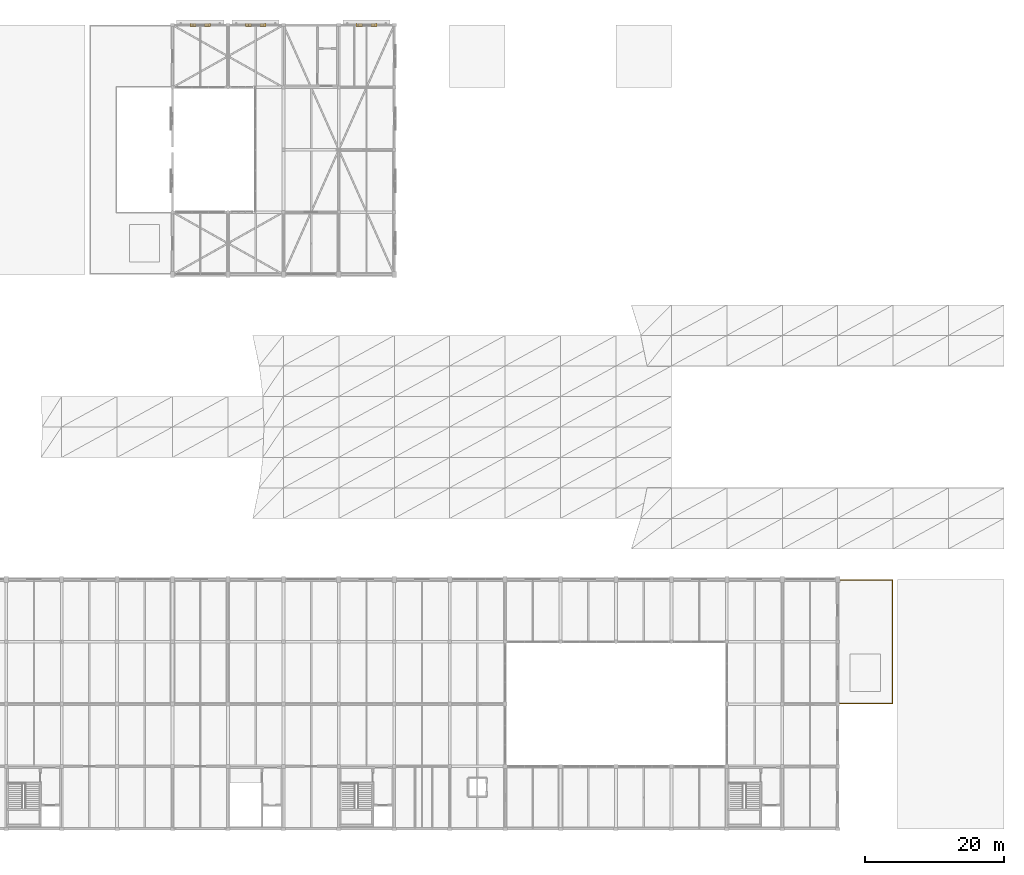
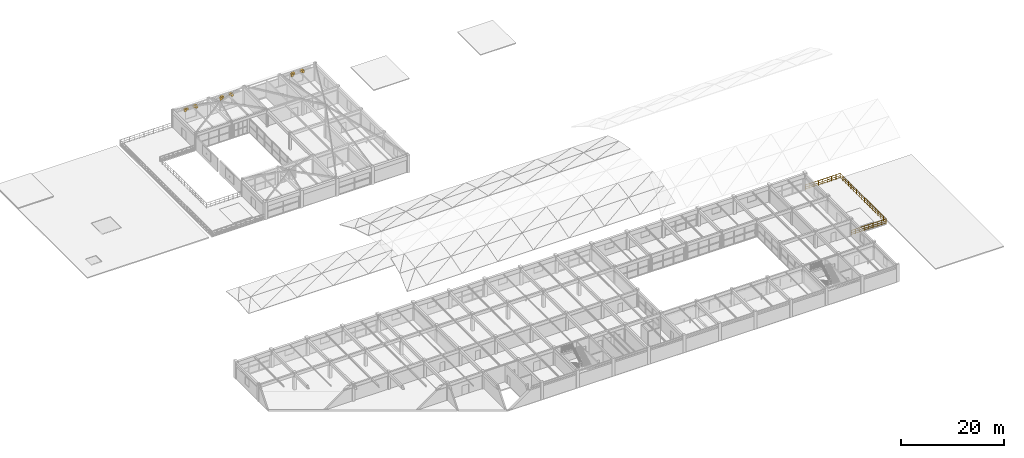
# One storey, part 63 of 63: 12 coverings, 1 railing.
"""IFC4 building model written with IfcOpenShell, lengths in metres."""

from ifc_helpers import new_model, si_unit, direction, frame, origin, origin_2d, place, context, subcontext, project, spatial, rectangle, circle, extrude, material, layer, layer_set, type_object, element, save


model = new_model("IFC4")

# Units and contexts
model_context = context("Model", 3, precision=1e-05, world=origin(), true_north=direction((0.0, 1.0)))
body_context = subcontext(model_context, "Body", "Model", "MODEL_VIEW")
ifc_project = project(units=[si_unit("LENGTHUNIT", "METRE"), si_unit("AREAUNIT", "SQUARE_METRE"), si_unit("VOLUMEUNIT", "CUBIC_METRE"), si_unit("PLANEANGLEUNIT", "RADIAN"), si_unit("MASSUNIT", "GRAM", prefix="KILO")], contexts=[model_context])

# Site, building, storey
site_placement = place(None, origin())
site = spatial("IfcSite", under=ifc_project, at=site_placement, CompositionType="ELEMENT")
building_placement = place(site_placement, origin())
building = spatial("IfcBuilding", under=site, at=building_placement, Name="Varnabhumi Central Station", CompositionType="ELEMENT")
storey_placement = place(building_placement, frame((0.0, 0.0, 20.39990234375)))
storey = spatial("IfcBuildingStorey", under=building, at=storey_placement, Name="L04", CompositionType="ELEMENT", Elevation=20.39990234375)

# Coverings
ifc_material_1 = material(Name="Terracotta clay Mission barrel tile", Category="masonry")
ifc_layer = layer(ifc_material_1, 0.02001953125, Name="Terracotta clay Mission barrel tile", Category="masonry")
ifc_layer_set = layer_set([ifc_layer], Name="Terracotta clay Mission barrel tile")
covering_type = type_object("IfcCoveringType", Name="COV-WALL-FAIENCE", PredefinedType="CLADDING", material=ifc_layer_set)
covering_1_placement = place(storey_placement, frame((66.740478515625, 116.0, 2.75), z_axis=(0.0, 0.0, 1.0), x_axis=(1.0, 0.0, 0.0)))
element("IfcCovering", 1, at=covering_1_placement, inside=storey, type_object=covering_type, Name="North Window Arch L04-1 Stone Voussoir 1", PredefinedType="CLADDING", context=body_context, shape_type="SweptSolid", body=[
    extrude(rectangle(XDim=0.469970703125, YDim=0.47998046875, at=origin_2d()), origin(), (0.0, 0.0, 1.0), 0.554931640625),
])
for number, where, z_axis, x_axis, name in (
    (2, (67.077880859375, 116.0, 3.025146484375), (0.0, 0.0, 1.0), (1.0, 0.0, 0.0), "North Window Arch L04-1 Stone Voussoir 2"),
    (3, (68.922119140625, 116.0, 3.025146484375), (0.0, 0.0, 1.0), (1.0, 0.0, 0.0), "North Window Arch L04-1 Stone Voussoir 5"),
):
    element("IfcCovering", number, at=place(storey_placement, frame(where, z_axis=z_axis, x_axis=x_axis)), inside=storey, type_object=covering_type, Name=name, PredefinedType="CLADDING", context=body_context, shape_type="SweptSolid", body=[
        extrude(rectangle(XDim=0.614013671875, YDim=0.47998046875, at=origin_2d()), origin(), (0.0, 0.0, 1.0), 0.48095703125),
    ])
for number, where, z_axis, x_axis, name in (
    (4, (69.259521484375, 116.0, 2.75), (0.0, 0.0, 1.0), (1.0, 0.0, 0.0), "North Window Arch L04-1 Stone Voussoir 6"),
    (5, (74.740478515625, 116.0, 2.75), (0.0, 0.0, 1.0), (1.0, 0.0, 0.0), "North Window Arch L04-2 Stone Voussoir 1"),
):
    element("IfcCovering", number, at=place(storey_placement, frame(where, z_axis=z_axis, x_axis=x_axis)), inside=storey, type_object=covering_type, Name=name, PredefinedType="CLADDING", context=body_context, shape_type="SweptSolid", body=[
        extrude(rectangle(XDim=0.469970703125, YDim=0.47998046875, at=origin_2d()), origin(), (0.0, 0.0, 1.0), 0.554931640625),
    ])
for number, where, z_axis, x_axis, name in (
    (6, (75.077880859375, 116.0, 3.025146484375), (0.0, 0.0, 1.0), (1.0, 0.0, 0.0), "North Window Arch L04-2 Stone Voussoir 2"),
    (7, (76.922119140625, 116.0, 3.025146484375), (0.0, 0.0, 1.0), (1.0, 0.0, 0.0), "North Window Arch L04-2 Stone Voussoir 5"),
):
    element("IfcCovering", number, at=place(storey_placement, frame(where, z_axis=z_axis, x_axis=x_axis)), inside=storey, type_object=covering_type, Name=name, PredefinedType="CLADDING", context=body_context, shape_type="SweptSolid", body=[
        extrude(rectangle(XDim=0.614013671875, YDim=0.47998046875, at=origin_2d()), origin(), (0.0, 0.0, 1.0), 0.48095703125),
    ])
for number, where, z_axis, x_axis, name in (
    (8, (77.259521484375, 116.0, 2.75), (0.0, 0.0, 1.0), (1.0, 0.0, 0.0), "North Window Arch L04-2 Stone Voussoir 6"),
    (9, (90.740478515625, 116.0, 2.75), (0.0, 0.0, 1.0), (1.0, 0.0, 0.0), "North Window Arch L04-4 Stone Voussoir 1"),
):
    element("IfcCovering", number, at=place(storey_placement, frame(where, z_axis=z_axis, x_axis=x_axis)), inside=storey, type_object=covering_type, Name=name, PredefinedType="CLADDING", context=body_context, shape_type="SweptSolid", body=[
        extrude(rectangle(XDim=0.469970703125, YDim=0.47998046875, at=origin_2d()), origin(), (0.0, 0.0, 1.0), 0.554931640625),
    ])
for number, where, z_axis, x_axis, name in (
    (10, (91.077880859375, 116.0, 3.025146484375), (0.0, 0.0, 1.0), (1.0, 0.0, 0.0), "North Window Arch L04-4 Stone Voussoir 2"),
    (11, (92.922119140625, 116.0, 3.025146484375), (0.0, 0.0, 1.0), (1.0, 0.0, 0.0), "North Window Arch L04-4 Stone Voussoir 5"),
):
    element("IfcCovering", number, at=place(storey_placement, frame(where, z_axis=z_axis, x_axis=x_axis)), inside=storey, type_object=covering_type, Name=name, PredefinedType="CLADDING", context=body_context, shape_type="SweptSolid", body=[
        extrude(rectangle(XDim=0.614013671875, YDim=0.47998046875, at=origin_2d()), origin(), (0.0, 0.0, 1.0), 0.48095703125),
    ])
covering_2_placement = place(storey_placement, frame((93.259521484375, 116.0, 2.75), z_axis=(0.0, 0.0, 1.0), x_axis=(1.0, 0.0, 0.0)))
element("IfcCovering", 12, at=covering_2_placement, inside=storey, type_object=covering_type, Name="North Window Arch L04-4 Stone Voussoir 6", PredefinedType="CLADDING", context=body_context, shape_type="SweptSolid", body=[
    extrude(rectangle(XDim=0.469970703125, YDim=0.47998046875, at=origin_2d()), origin(), (0.0, 0.0, 1.0), 0.554931640625),
])

# Railing
ifc_material_2 = material(Name="Stainless steel Grade 316", Category="steel")
railing_type = type_object("IfcRailingType", Name="RAIL-BALUST-1150", PredefinedType="BALUSTRADE", material=ifc_material_2)
railing_placement = place(storey_placement, frame((160.050048828125, 18.080078125, 0.0)))
element("IfcRailing", 13, at=railing_placement, inside=storey, type_object=railing_type, Name="Azotea Perimeter Balustrade L04-5", PredefinedType="BALUSTRADE", context=body_context, shape_type="SweptSolid", body=[
    extrude(circle(Radius=0.02392578125, at=origin_2d()), frame((0.0, 0.0, 1.1259765625), z_axis=(1.0, 0.0, 0.0), x_axis=(0.0, 1.0, 0.0)), (0.0, 0.0, 1.0), 7.869873046875),
    extrude(circle(Radius=0.01416015625, at=origin_2d()), frame((0.0, 0.0, 0.597900390625), z_axis=(1.0, 0.0, 0.0), x_axis=(0.0, 1.0, 0.0)), (0.0, 0.0, 1.0), 7.869873046875),
    extrude(circle(Radius=0.01416015625, at=origin_2d()), frame((0.0, 0.0, 0.18408203125), z_axis=(1.0, 0.0, 0.0), x_axis=(0.0, 1.0, 0.0)), (0.0, 0.0, 1.0), 7.869873046875),
    extrude(circle(Radius=0.02392578125, at=origin_2d()), frame((7.869873046875, 0.0, 1.1259765625), z_axis=(0.0, 1.0, 0.0), x_axis=(-1.0, 0.0, 0.0)), (0.0, 0.0, 1.0), 17.83984375),
    extrude(circle(Radius=0.01416015625, at=origin_2d()), frame((7.869873046875, 0.0, 0.597900390625), z_axis=(0.0, 1.0, 0.0), x_axis=(-1.0, 0.0, 0.0)), (0.0, 0.0, 1.0), 17.83984375),
    extrude(circle(Radius=0.01416015625, at=origin_2d()), frame((7.869873046875, 0.0, 0.18408203125), z_axis=(0.0, 1.0, 0.0), x_axis=(-1.0, 0.0, 0.0)), (0.0, 0.0, 1.0), 17.83984375),
    extrude(circle(Radius=0.02392578125, at=origin_2d()), frame((7.869873046875, 17.83984375, 1.1259765625), z_axis=(-1.0, 0.0, 0.0), x_axis=(0.0, -1.0, 0.0)), (0.0, 0.0, 1.0), 7.869873046875),
    extrude(circle(Radius=0.01416015625, at=origin_2d()), frame((7.869873046875, 17.83984375, 0.597900390625), z_axis=(-1.0, 0.0, 0.0), x_axis=(0.0, -1.0, 0.0)), (0.0, 0.0, 1.0), 7.869873046875),
    extrude(circle(Radius=0.01416015625, at=origin_2d()), frame((7.869873046875, 17.83984375, 0.18408203125), z_axis=(-1.0, 0.0, 0.0), x_axis=(0.0, -1.0, 0.0)), (0.0, 0.0, 1.0), 7.869873046875),
    extrude(circle(Radius=0.02099609375, at=origin_2d()), origin(), (0.0, 0.0, 1.0), 1.101806640625),
    extrude(circle(Radius=0.02099609375, at=origin_2d()), frame((0.983642578125, 0.0, 0.0)), (0.0, 0.0, 1.0), 1.101806640625),
    extrude(circle(Radius=0.02099609375, at=origin_2d()), frame((1.967529296875, 0.0, 0.0)), (0.0, 0.0, 1.0), 1.101806640625),
    extrude(circle(Radius=0.02099609375, at=origin_2d()), frame((2.951171875, 0.0, 0.0)), (0.0, 0.0, 1.0), 1.101806640625),
    extrude(circle(Radius=0.02099609375, at=origin_2d()), frame((3.93505859375, 0.0, 0.0)), (0.0, 0.0, 1.0), 1.101806640625),
    extrude(circle(Radius=0.02099609375, at=origin_2d()), frame((4.918701171875, 0.0, 0.0)), (0.0, 0.0, 1.0), 1.101806640625),
    extrude(circle(Radius=0.02099609375, at=origin_2d()), frame((5.90234375, 0.0, 0.0)), (0.0, 0.0, 1.0), 1.101806640625),
    extrude(circle(Radius=0.02099609375, at=origin_2d()), frame((6.88623046875, 0.0, 0.0)), (0.0, 0.0, 1.0), 1.101806640625),
    extrude(circle(Radius=0.02099609375, at=origin_2d()), frame((7.869873046875, 0.0, 0.0)), (0.0, 0.0, 1.0), 1.101806640625),
    extrude(circle(Radius=0.02099609375, at=origin_2d()), frame((7.869873046875, 1.04931640625, 0.0)), (0.0, 0.0, 1.0), 1.101806640625),
    extrude(circle(Radius=0.02099609375, at=origin_2d()), frame((7.869873046875, 2.098876953125, 0.0)), (0.0, 0.0, 1.0), 1.101806640625),
    extrude(circle(Radius=0.02099609375, at=origin_2d()), frame((7.869873046875, 3.148193359375, 0.0)), (0.0, 0.0, 1.0), 1.101806640625),
    extrude(circle(Radius=0.02099609375, at=origin_2d()), frame((7.869873046875, 4.197509765625, 0.0)), (0.0, 0.0, 1.0), 1.101806640625),
    extrude(circle(Radius=0.02099609375, at=origin_2d()), frame((7.869873046875, 5.2470703125, 0.0)), (0.0, 0.0, 1.0), 1.101806640625),
    extrude(circle(Radius=0.02099609375, at=origin_2d()), frame((7.869873046875, 6.29638671875, 0.0)), (0.0, 0.0, 1.0), 1.101806640625),
    extrude(circle(Radius=0.02099609375, at=origin_2d()), frame((7.869873046875, 7.345703125, 0.0)), (0.0, 0.0, 1.0), 1.101806640625),
    extrude(circle(Radius=0.02099609375, at=origin_2d()), frame((7.869873046875, 8.395263671875, 0.0)), (0.0, 0.0, 1.0), 1.101806640625),
    extrude(circle(Radius=0.02099609375, at=origin_2d()), frame((7.869873046875, 9.444580078125, 0.0)), (0.0, 0.0, 1.0), 1.101806640625),
    extrude(circle(Radius=0.02099609375, at=origin_2d()), frame((7.869873046875, 10.494140625, 0.0)), (0.0, 0.0, 1.0), 1.101806640625),
    extrude(circle(Radius=0.02099609375, at=origin_2d()), frame((7.869873046875, 11.54345703125, 0.0)), (0.0, 0.0, 1.0), 1.101806640625),
    extrude(circle(Radius=0.02099609375, at=origin_2d()), frame((7.869873046875, 12.5927734375, 0.0)), (0.0, 0.0, 1.0), 1.101806640625),
    extrude(circle(Radius=0.02099609375, at=origin_2d()), frame((7.869873046875, 13.642333984375, 0.0)), (0.0, 0.0, 1.0), 1.101806640625),
    extrude(circle(Radius=0.02099609375, at=origin_2d()), frame((7.869873046875, 14.691650390625, 0.0)), (0.0, 0.0, 1.0), 1.101806640625),
    extrude(circle(Radius=0.02099609375, at=origin_2d()), frame((7.869873046875, 15.740966796875, 0.0)), (0.0, 0.0, 1.0), 1.101806640625),
    extrude(circle(Radius=0.02099609375, at=origin_2d()), frame((7.869873046875, 16.79052734375, 0.0)), (0.0, 0.0, 1.0), 1.101806640625),
    extrude(circle(Radius=0.02099609375, at=origin_2d()), frame((7.869873046875, 17.83984375, 0.0)), (0.0, 0.0, 1.0), 1.101806640625),
    extrude(circle(Radius=0.02099609375, at=origin_2d()), frame((6.88623046875, 17.83984375, 0.0)), (0.0, 0.0, 1.0), 1.101806640625),
    extrude(circle(Radius=0.02099609375, at=origin_2d()), frame((5.90234375, 17.83984375, 0.0)), (0.0, 0.0, 1.0), 1.101806640625),
    extrude(circle(Radius=0.02099609375, at=origin_2d()), frame((4.918701171875, 17.83984375, 0.0)), (0.0, 0.0, 1.0), 1.101806640625),
    extrude(circle(Radius=0.02099609375, at=origin_2d()), frame((3.93505859375, 17.83984375, 0.0)), (0.0, 0.0, 1.0), 1.101806640625),
    extrude(circle(Radius=0.02099609375, at=origin_2d()), frame((2.951171875, 17.83984375, 0.0)), (0.0, 0.0, 1.0), 1.101806640625),
    extrude(circle(Radius=0.02099609375, at=origin_2d()), frame((1.967529296875, 17.83984375, 0.0)), (0.0, 0.0, 1.0), 1.101806640625),
    extrude(circle(Radius=0.02099609375, at=origin_2d()), frame((0.983642578125, 17.83984375, 0.0)), (0.0, 0.0, 1.0), 1.101806640625),
    extrude(circle(Radius=0.02099609375, at=origin_2d()), frame((0.0, 17.83984375, 0.0)), (0.0, 0.0, 1.0), 1.101806640625),
])

save(model, "model.ifc")
